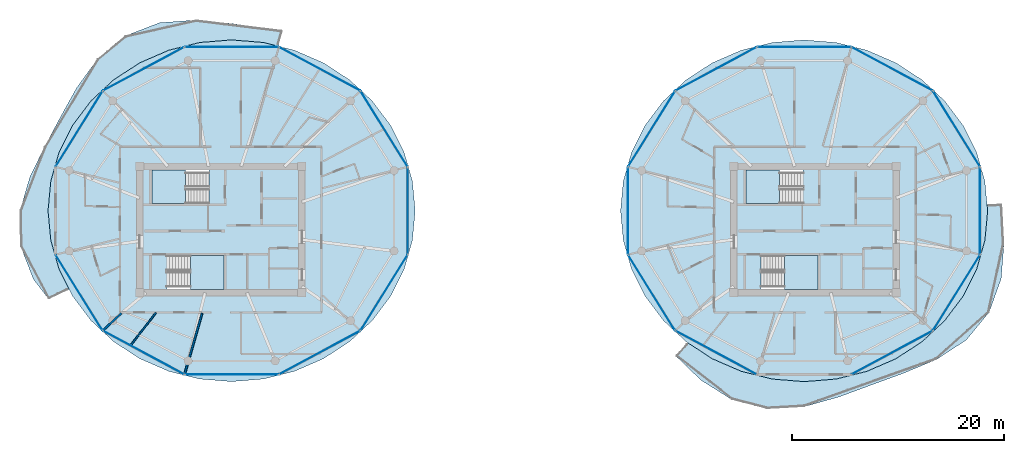
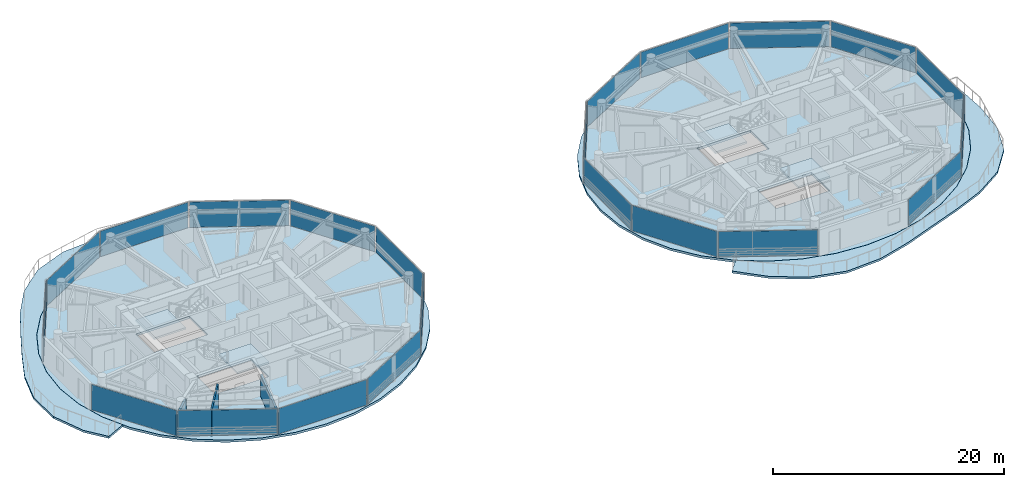
# One storey, part 11 of 22: 22 plates, 8 slabs, 3 walls, 26 elements without a shape of their own.
"""IFC4 building model written with IfcOpenShell, lengths in metres."""

from ifc_helpers import new_model, si_unit, direction, frame, frame_2d, origin, origin_2d, place, context, subcontext, project, spatial, polyline, rectangle, outline, extrude, source, transform, mapped, material, layer, layer_set, type_object, type_shapes, element, aggregate, save


model = new_model("IFC4")

# Units and contexts
model_context = context("Model", 3, precision=1e-05, world=origin(), true_north=direction((0.0, 1.0)))
body_context = subcontext(model_context, "Body", "Model", "MODEL_VIEW")
ifc_project = project(units=[si_unit("LENGTHUNIT", "METRE"), si_unit("AREAUNIT", "SQUARE_METRE"), si_unit("VOLUMEUNIT", "CUBIC_METRE"), si_unit("PLANEANGLEUNIT", "RADIAN"), si_unit("MASSUNIT", "GRAM", prefix="KILO")], contexts=[model_context])

# Site, building, storey
site_placement = place(None, origin())
site = spatial("IfcSite", under=ifc_project, at=site_placement, CompositionType="ELEMENT")
building_placement = place(site_placement, origin())
building = spatial("IfcBuilding", under=site, at=building_placement, Name="Norrkilde Senior Care Towers", CompositionType="ELEMENT")
storey_placement = place(building_placement, frame((0.0, 0.0, 152.60009765625)))
storey = spatial("IfcBuildingStorey", under=building, at=storey_placement, Name="L47", CompositionType="ELEMENT", Elevation=152.60009765625)

# Slabs
ifc_material_1 = material(Name="Concrete C50/60", Category="concrete")
ifc_layer_1 = layer(ifc_material_1, 0.215087890625)
ifc_layer_set_1 = layer_set([ifc_layer_1], Name="Concrete C50/60")
slab_type_1 = type_object("IfcSlabType", Name="Sinusoidal Balcony Ribbon Slab 215", PredefinedType="FLOOR", material=ifc_layer_set_1)
slab_1_placement = place(storey_placement, frame((0.0, 0.0, -0.215087890625)))
element("IfcSlab", 1, at=slab_1_placement, inside=storey, type_object=slab_type_1, Name="L47 Drum W Swirling Senior Balcony 1", PredefinedType="FLOOR", context=body_context, shape_type="SweptSolid", body=[
    extrude(outline(polyline([(-46.861083984375, -1.56005859375), (-46.91845703125, 1.775390625), (-45.994140625, 4.946533203125), (-44.5986328125, 7.81640625), (-43.13671875, 10.55712890625), (-41.590087890625, 13.352783203125), (-39.626953125, 16.0703125), (-36.989501953125, 18.258056640625), (-33.76953125, 19.49560546875), (-30.32763671875, 19.75439453125), (-26.97509765625, 19.42431640625), (-23.7509765625, 18.970458984375), (-22.177978515625, 18.755859375), (-22.591552734375, 17.2919921875), (-23.969970703125, 17.6357421875), (-26.97509765625, 17.88037109375), (-29.97998046875, 17.6357421875), (-32.8935546875, 16.9091796875), (-35.62744140625, 15.72265625), (-38.098388671875, 14.112548828125), (-40.2314453125, 12.12744140625), (-41.961669921875, 9.827880859375), (-43.236328125, 7.28369140625), (-44.01708984375, 4.572021484375), (-44.280029296875, 1.775390625), (-44.01708984375, -1.021240234375), (-43.236328125, -3.73291015625), (-42.2880859375, -5.625244140625), (-44.209228515625, -6.5537109375), (-45.655029296875, -4.678955078125), (-46.861083984375, -1.56005859375)])), origin(), (0.0, 0.0, 1.0), 0.215087890625),
])
slab_2_placement = place(storey_placement, frame((0.0, 0.0, -0.215087890625)))
element("IfcSlab", 2, at=slab_2_placement, inside=storey, type_object=slab_type_1, Name="L47 Drum E Swirling Senior Balcony 1", PredefinedType="FLOOR", context=body_context, shape_type="SweptSolid", body=[
    extrude(outline(polyline([(44.4072265625, -7.79443359375), (42.25927734375, -10.405517578125), (39.419677734375, -12.254150390625), (36.358154296875, -13.5322265625), (33.327392578125, -14.639404296875), (30.256591796875, -15.771728515625), (26.97509765625, -16.689208984375), (23.510498046875, -16.885986328125), (20.15673828125, -16.014404296875), (17.242919921875, -14.181396484375), (14.880859375, -11.895751953125), (15.984375, -10.648193359375), (18.322509765625, -12.171875), (21.056396484375, -13.3583984375), (23.969970703125, -14.0849609375), (26.97509765625, -14.32958984375), (29.97998046875, -14.0849609375), (32.8935546875, -13.3583984375), (35.62744140625, -12.171875), (38.098388671875, -10.561767578125), (40.2314453125, -8.57666015625), (41.961669921875, -6.277099609375), (43.236328125, -3.73291015625), (44.01708984375, -1.021240234375), (44.280029296875, 1.775390625), (44.226318359375, 2.3466796875), (45.620849609375, 2.39306640625), (45.662841796875, 1.775390625), (45.814697265625, -1.36181640625), (45.549560546875, -4.6376953125), (44.4072265625, -7.79443359375)])), origin(), (0.0, 0.0, 1.0), 0.215087890625),
])

# Stair, slab
ifc_material_2 = material(Name="Concrete C45/55", Category="concrete")
stair_type = type_object("IfcStairType", Name="Core Protected Dogleg Stair Typical 3050", PredefinedType="HALF_TURN_STAIR", material=ifc_material_2)
stair_1_placement = place(storey_placement, origin())
stair_1 = element("IfcStair", 3, at=stair_1_placement, inside=storey, type_object=stair_type, Name="L47 Protected Core Stair W1", PredefinedType="HALF_TURN_STAIR")
ifc_layer_2 = layer(ifc_material_2, 0.199951171875)
ifc_layer_set_2 = layer_set([ifc_layer_2], Name="Concrete C45/55")
slab_type_2 = type_object("IfcSlabType", Name="Stair Landing Slab 200", PredefinedType="LANDING", material=ifc_layer_set_2)
slab_3_placement = place(storey_placement, frame((0.0, 0.0, 1.324951171875)))
slab_3 = element("IfcSlab", 4, at=slab_3_placement, type_object=slab_type_2, Name="ST-W1 landing 1", PredefinedType="LANDING", context=body_context, shape_type="SweptSolid", body=[
    extrude(outline(polyline([(-31.340087890625, 5.639892578125), (-34.5, 5.639892578125), (-34.5, 2.449951171875), (-31.340087890625, 2.449951171875), (-31.340087890625, 5.639892578125)])), origin(), (0.0, 0.0, 1.0), 0.199951171875),
])
aggregate(stair_1, [slab_3])

stair_2_placement = place(storey_placement, origin())
stair_2 = element("IfcStair", 5, at=stair_2_placement, inside=storey, type_object=stair_type, Name="L47 Protected Core Stair W2", PredefinedType="HALF_TURN_STAIR")
slab_4_placement = place(storey_placement, frame((0.0, 0.0, 1.324951171875)))
slab_4 = element("IfcSlab", 6, at=slab_4_placement, type_object=slab_type_2, Name="ST-W2 landing 1", PredefinedType="LANDING", context=body_context, shape_type="SweptSolid", body=[
    extrude(outline(polyline([(-30.860107421875, -5.639892578125), (-27.699951171875, -5.639892578125), (-27.699951171875, -2.449951171875), (-30.860107421875, -2.449951171875), (-30.860107421875, -5.639892578125)])), origin(), (0.0, 0.0, 1.0), 0.199951171875),
])
aggregate(stair_2, [slab_4])

stair_3_placement = place(storey_placement, origin())
stair_3 = element("IfcStair", 7, at=stair_3_placement, inside=storey, type_object=stair_type, Name="L47 Protected Core Stair E1", PredefinedType="HALF_TURN_STAIR")
slab_5_placement = place(storey_placement, frame((0.0, 0.0, 1.324951171875)))
slab_5 = element("IfcSlab", 8, at=slab_5_placement, type_object=slab_type_2, Name="ST-E1 landing 1", PredefinedType="LANDING", context=body_context, shape_type="SweptSolid", body=[
    extrude(outline(polyline([(24.659912109375, 5.639892578125), (21.5, 5.639892578125), (21.5, 2.449951171875), (24.659912109375, 2.449951171875), (24.659912109375, 5.639892578125)])), origin(), (0.0, 0.0, 1.0), 0.199951171875),
])
aggregate(stair_3, [slab_5])

stair_4_placement = place(storey_placement, origin())
stair_4 = element("IfcStair", 9, at=stair_4_placement, inside=storey, type_object=stair_type, Name="L47 Protected Core Stair E2", PredefinedType="HALF_TURN_STAIR")
slab_6_placement = place(storey_placement, frame((0.0, 0.0, 1.324951171875)))
slab_6 = element("IfcSlab", 10, at=slab_6_placement, type_object=slab_type_2, Name="ST-E2 landing 1", PredefinedType="LANDING", context=body_context, shape_type="SweptSolid", body=[
    extrude(outline(polyline([(25.139892578125, -5.639892578125), (28.300048828125, -5.639892578125), (28.300048828125, -2.449951171875), (25.139892578125, -2.449951171875), (25.139892578125, -5.639892578125)])), origin(), (0.0, 0.0, 1.0), 0.199951171875),
])
aggregate(stair_4, [slab_6])

# Slabs
ifc_layer_3 = layer(ifc_material_1, 0.239990234375)
ifc_layer_set_3 = layer_set([ifc_layer_3], Name="Concrete C50/60")
slab_type_3 = type_object("IfcSlabType", Name="Tower Residence Floor Slab 240", PredefinedType="FLOOR", material=ifc_layer_set_3)
slab_7_placement = place(storey_placement, frame((0.0, 0.0, -0.239990234375)))
element("IfcSlab", 11, at=slab_7_placement, inside=storey, type_object=slab_type_3, Name="L47 Drum W Structural Floor Slab", PredefinedType="FLOOR", context=body_context, shape_type="SweptSolid", body=[
    extrude(outline(polyline([(-10.71826171875, -3.731201171875), (-11.99267578125, -6.274658203125), (-13.722412109375, -8.573486328125), (-15.854736328125, -10.557861328125), (-18.324951171875, -12.167724609375), (-21.05810546875, -13.353759765625), (-23.970947265625, -14.080078125), (-26.97509765625, -14.32470703125), (-29.97900390625, -14.080078125), (-32.891845703125, -13.353759765625), (-35.625, -12.167724609375), (-38.09521484375, -10.557861328125), (-40.2275390625, -8.573486328125), (-41.957275390625, -6.274658203125), (-43.231689453125, -3.731201171875), (-44.01220703125, -1.020263671875), (-44.27490234375, 1.775390625), (-44.01220703125, 4.571044921875), (-43.231689453125, 7.281982421875), (-41.957275390625, 9.825439453125), (-40.2275390625, 12.124267578125), (-38.09521484375, 14.108642578125), (-35.625, 15.71826171875), (-32.891845703125, 16.904296875), (-29.97900390625, 17.630859375), (-26.97509765625, 17.875244140625), (-23.970947265625, 17.630859375), (-21.05810546875, 16.904296875), (-18.324951171875, 15.71826171875), (-15.854736328125, 14.108642578125), (-13.722412109375, 12.124267578125), (-11.99267578125, 9.825439453125), (-10.71826171875, 7.281982421875), (-9.937744140625, 4.571044921875), (-9.675048828125, 1.775390625), (-9.937744140625, -1.020263671875), (-10.71826171875, -3.731201171875)]), holes=[polyline([(-34.48193359375, 2.468017578125), (-29.117919921875, 2.468017578125), (-29.117919921875, 5.639892578125), (-34.48193359375, 5.639892578125), (-34.48193359375, 2.468017578125)]), polyline([(-27.718017578125, -5.639892578125), (-27.718017578125, -2.468017578125), (-33.08203125, -2.468017578125), (-33.08203125, -5.639892578125), (-27.718017578125, -5.639892578125)])]), origin(), (0.0, 0.0, 1.0), 0.239990234375),
])
slab_8_placement = place(storey_placement, frame((0.0, 0.0, -0.239990234375)))
element("IfcSlab", 12, at=slab_8_placement, inside=storey, type_object=slab_type_3, Name="L47 Drum E Structural Floor Slab", PredefinedType="FLOOR", context=body_context, shape_type="SweptSolid", body=[
    extrude(outline(polyline([(43.231689453125, -3.731201171875), (41.957275390625, -6.274658203125), (40.2275390625, -8.573486328125), (38.09521484375, -10.557861328125), (35.625, -12.167724609375), (32.891845703125, -13.353759765625), (29.97900390625, -14.080078125), (26.97509765625, -14.32470703125), (23.970947265625, -14.080078125), (21.05810546875, -13.353759765625), (18.324951171875, -12.167724609375), (15.854736328125, -10.557861328125), (13.722412109375, -8.573486328125), (11.99267578125, -6.274658203125), (10.71826171875, -3.731201171875), (9.937744140625, -1.020263671875), (9.675048828125, 1.775390625), (9.937744140625, 4.571044921875), (10.71826171875, 7.281982421875), (11.99267578125, 9.825439453125), (13.722412109375, 12.124267578125), (15.854736328125, 14.108642578125), (18.324951171875, 15.71826171875), (21.05810546875, 16.904296875), (23.970947265625, 17.630859375), (26.97509765625, 17.875244140625), (29.97900390625, 17.630859375), (32.891845703125, 16.904296875), (35.625, 15.71826171875), (38.09521484375, 14.108642578125), (40.2275390625, 12.124267578125), (41.957275390625, 9.825439453125), (43.231689453125, 7.281982421875), (44.01220703125, 4.571044921875), (44.27490234375, 1.775390625), (44.01220703125, -1.020263671875), (43.231689453125, -3.731201171875)]), holes=[polyline([(21.51806640625, 2.468017578125), (26.882080078125, 2.468017578125), (26.882080078125, 5.639892578125), (21.51806640625, 5.639892578125), (21.51806640625, 2.468017578125)]), polyline([(28.281982421875, -5.639892578125), (28.281982421875, -2.468017578125), (22.91796875, -2.468017578125), (22.91796875, -5.639892578125), (28.281982421875, -5.639892578125)])]), origin(), (0.0, 0.0, 1.0), 0.239990234375),
])

# Curtain wall, plate
ifc_material_3 = material(Name="Triple Low-E Insulated Glazing", Category="glass")
ifc_layer_4 = layer(ifc_material_3, 0.18994140625)
ifc_layer_set_4 = layer_set([ifc_layer_4], Name="Triple Low-E Insulated Glazing")
curtain_wall_type = type_object("IfcCurtainWallType", Name="CW4 Zone 3 Senior Residence Curtain Wall", PredefinedType="NOTDEFINED", material=ifc_layer_set_4)
curtain_wall_1_placement = place(storey_placement, origin())
curtain_wall_1 = element("IfcCurtainWall", 13, at=curtain_wall_1_placement, inside=storey, type_object=curtain_wall_type, Name="L47 Drum W Curtain Wall 00", PredefinedType="NOTDEFINED")
ifc_layer_5 = layer(ifc_material_3, 0.035888671875)
ifc_layer_set_5 = layer_set([ifc_layer_5], Name="Triple Low-E Insulated Glazing")
plate_type = type_object("IfcPlateType", Name="Triple Low-E Vision Curtain Panel 36", PredefinedType="CURTAIN_PANEL", material=ifc_layer_set_5)
shared_shape_1 = source(origin(), body_context, "Body", "SweptSolid", [
    extrude(rectangle(XDim=8.301513671875, YDim=0.035888671875, at=origin_2d()), origin(), (0.0, 0.0, 1.0), 2.68994140625),
])
plate_1_placement = place(storey_placement, frame((-12.603759765625, 9.4931640625, 0.059814453125), z_axis=(0.0, 0.0, 1.0), x_axis=(0.52737270789, -0.84963405474, 0.0)))
plate_1 = element("IfcPlate", 14, at=plate_1_placement, type_object=plate_type, Name="CW-4 panel 1.1", PredefinedType="CURTAIN_PANEL", context=body_context, shape_type="MappedRepresentation", body=[
    mapped(shared_shape_1, transform((0.0, 0.0, 0.0), x_axis=(1.0, 0.0, 0.0), y_axis=(0.0, 1.0, 0.0), z_axis=(0.0, 0.0, 1.0), scale=1.0)),
])
aggregate(curtain_wall_1, [plate_1])

curtain_wall_2_placement = place(storey_placement, origin())
curtain_wall_2 = element("IfcCurtainWall", 15, at=curtain_wall_2_placement, inside=storey, type_object=curtain_wall_type, Name="L47 Drum W Curtain Wall 04", PredefinedType="NOTDEFINED")
plate_2_placement = place(storey_placement, frame((-41.346435546875, 9.4931640625, 0.059814453125), z_axis=(0.0, 0.0, 1.0), x_axis=(0.52737270789, 0.84963405474, 0.0)))
plate_2 = element("IfcPlate", 16, at=plate_2_placement, type_object=plate_type, Name="CW-4 panel 1.1", PredefinedType="CURTAIN_PANEL", context=body_context, shape_type="MappedRepresentation", body=[
    mapped(shared_shape_1, transform((0.0, 0.0, 0.0), x_axis=(1.0, 0.0, 0.0), y_axis=(0.0, 1.0, 0.0), z_axis=(0.0, 0.0, 1.0), scale=1.0)),
])
aggregate(curtain_wall_2, [plate_2])

curtain_wall_3_placement = place(storey_placement, origin())
curtain_wall_3 = element("IfcCurtainWall", 17, at=curtain_wall_3_placement, inside=storey, type_object=curtain_wall_type, Name="L47 Drum W Curtain Wall 06", PredefinedType="NOTDEFINED")
plate_3_placement = place(storey_placement, frame((-41.346435546875, -5.9423828125, 0.059814453125), z_axis=(0.0, 0.0, 1.0), x_axis=(-0.52737270789, 0.84963405474, 0.0)))
plate_3 = element("IfcPlate", 18, at=plate_3_placement, type_object=plate_type, Name="CW-4 panel 1.1", PredefinedType="CURTAIN_PANEL", context=body_context, shape_type="MappedRepresentation", body=[
    mapped(shared_shape_1, transform((0.0, 0.0, 0.0), x_axis=(1.0, 0.0, 0.0), y_axis=(0.0, 1.0, 0.0), z_axis=(0.0, 0.0, 1.0), scale=1.0)),
])
aggregate(curtain_wall_3, [plate_3])

curtain_wall_4_placement = place(storey_placement, origin())
curtain_wall_4 = element("IfcCurtainWall", 19, at=curtain_wall_4_placement, inside=storey, type_object=curtain_wall_type, Name="L47 Drum W Curtain Wall 10", PredefinedType="NOTDEFINED")
plate_4_placement = place(storey_placement, frame((-12.603759765625, -5.9423828125, 0.059814453125), z_axis=(0.0, 0.0, 1.0), x_axis=(-0.52737270789, -0.84963405474, 0.0)))
plate_4 = element("IfcPlate", 20, at=plate_4_placement, type_object=plate_type, Name="CW-4 panel 1.1", PredefinedType="CURTAIN_PANEL", context=body_context, shape_type="MappedRepresentation", body=[
    mapped(shared_shape_1, transform((0.0, 0.0, 0.0), x_axis=(1.0, 0.0, 0.0), y_axis=(0.0, 1.0, 0.0), z_axis=(0.0, 0.0, 1.0), scale=1.0)),
])
aggregate(curtain_wall_4, [plate_4])

curtain_wall_5_placement = place(storey_placement, origin())
curtain_wall_5 = element("IfcCurtainWall", 21, at=curtain_wall_5_placement, inside=storey, type_object=curtain_wall_type, Name="L47 Drum E Curtain Wall 00", PredefinedType="NOTDEFINED")
plate_5_placement = place(storey_placement, frame((41.346435546875, 9.4931640625, 0.059814453125), z_axis=(0.0, 0.0, 1.0), x_axis=(0.52737270789, -0.84963405474, 0.0)))
plate_5 = element("IfcPlate", 22, at=plate_5_placement, type_object=plate_type, Name="CW-4 panel 1.1", PredefinedType="CURTAIN_PANEL", context=body_context, shape_type="MappedRepresentation", body=[
    mapped(shared_shape_1, transform((0.0, 0.0, 0.0), x_axis=(1.0, 0.0, 0.0), y_axis=(0.0, 1.0, 0.0), z_axis=(0.0, 0.0, 1.0), scale=1.0)),
])
aggregate(curtain_wall_5, [plate_5])

curtain_wall_6_placement = place(storey_placement, origin())
curtain_wall_6 = element("IfcCurtainWall", 23, at=curtain_wall_6_placement, inside=storey, type_object=curtain_wall_type, Name="L47 Drum E Curtain Wall 04", PredefinedType="NOTDEFINED")
plate_6_placement = place(storey_placement, frame((12.603759765625, 9.4931640625, 0.059814453125), z_axis=(0.0, 0.0, 1.0), x_axis=(0.52737270789, 0.84963405474, 0.0)))
plate_6 = element("IfcPlate", 24, at=plate_6_placement, type_object=plate_type, Name="CW-4 panel 1.1", PredefinedType="CURTAIN_PANEL", context=body_context, shape_type="MappedRepresentation", body=[
    mapped(shared_shape_1, transform((0.0, 0.0, 0.0), x_axis=(1.0, 0.0, 0.0), y_axis=(0.0, 1.0, 0.0), z_axis=(0.0, 0.0, 1.0), scale=1.0)),
])
aggregate(curtain_wall_6, [plate_6])

curtain_wall_7_placement = place(storey_placement, origin())
curtain_wall_7 = element("IfcCurtainWall", 25, at=curtain_wall_7_placement, inside=storey, type_object=curtain_wall_type, Name="L47 Drum E Curtain Wall 06", PredefinedType="NOTDEFINED")
plate_7_placement = place(storey_placement, frame((12.603759765625, -5.9423828125, 0.059814453125), z_axis=(0.0, 0.0, 1.0), x_axis=(-0.52737270789, 0.84963405474, 0.0)))
plate_7 = element("IfcPlate", 26, at=plate_7_placement, type_object=plate_type, Name="CW-4 panel 1.1", PredefinedType="CURTAIN_PANEL", context=body_context, shape_type="MappedRepresentation", body=[
    mapped(shared_shape_1, transform((0.0, 0.0, 0.0), x_axis=(1.0, 0.0, 0.0), y_axis=(0.0, 1.0, 0.0), z_axis=(0.0, 0.0, 1.0), scale=1.0)),
])
aggregate(curtain_wall_7, [plate_7])

curtain_wall_8_placement = place(storey_placement, origin())
curtain_wall_8 = element("IfcCurtainWall", 27, at=curtain_wall_8_placement, inside=storey, type_object=curtain_wall_type, Name="L47 Drum E Curtain Wall 10", PredefinedType="NOTDEFINED")
plate_8_placement = place(storey_placement, frame((41.346435546875, -5.9423828125, 0.059814453125), z_axis=(0.0, 0.0, 1.0), x_axis=(-0.52737270789, -0.84963405474, 0.0)))
plate_8 = element("IfcPlate", 28, at=plate_8_placement, type_object=plate_type, Name="CW-4 panel 1.1", PredefinedType="CURTAIN_PANEL", context=body_context, shape_type="MappedRepresentation", body=[
    mapped(shared_shape_1, transform((0.0, 0.0, 0.0), x_axis=(1.0, 0.0, 0.0), y_axis=(0.0, 1.0, 0.0), z_axis=(0.0, 0.0, 1.0), scale=1.0)),
])
aggregate(curtain_wall_8, [plate_8])

curtain_wall_9_placement = place(storey_placement, origin())
curtain_wall_9 = element("IfcCurtainWall", 29, at=curtain_wall_9_placement, inside=storey, type_object=curtain_wall_type, Name="L47 Drum W Curtain Wall 01", PredefinedType="NOTDEFINED")
shared_shape_2 = source(origin(), body_context, "Body", "SweptSolid", [
    extrude(rectangle(XDim=8.61181640625, YDim=0.035888671875, at=origin_2d()), origin(), (0.0, 0.0, 1.0), 2.68994140625),
])
plate_9_placement = place(storey_placement, frame((-18.677734375, 15.142822265625, 0.059814453125), z_axis=(0.0, 0.0, 1.0), x_axis=(0.880999524059, -0.47311715104, 0.0)))
plate_9 = element("IfcPlate", 30, at=plate_9_placement, type_object=plate_type, Name="CW-4 panel 1.1", PredefinedType="CURTAIN_PANEL", context=body_context, shape_type="MappedRepresentation", body=[
    mapped(shared_shape_2, transform((0.0, 0.0, 0.0), x_axis=(1.0, 0.0, 0.0), y_axis=(0.0, 1.0, 0.0), z_axis=(0.0, 0.0, 1.0), scale=1.0)),
])
aggregate(curtain_wall_9, [plate_9])

curtain_wall_10_placement = place(storey_placement, origin())
curtain_wall_10 = element("IfcCurtainWall", 31, at=curtain_wall_10_placement, inside=storey, type_object=curtain_wall_type, Name="L47 Drum W Curtain Wall 03", PredefinedType="NOTDEFINED")
plate_10_placement = place(storey_placement, frame((-35.272216796875, 15.142822265625, 0.059814453125), z_axis=(0.0, 0.0, 1.0), x_axis=(0.880999524059, 0.47311715104, 0.0)))
plate_10 = element("IfcPlate", 32, at=plate_10_placement, type_object=plate_type, Name="CW-4 panel 1.1", PredefinedType="CURTAIN_PANEL", context=body_context, shape_type="MappedRepresentation", body=[
    mapped(shared_shape_2, transform((0.0, 0.0, 0.0), x_axis=(1.0, 0.0, 0.0), y_axis=(0.0, 1.0, 0.0), z_axis=(0.0, 0.0, 1.0), scale=1.0)),
])
aggregate(curtain_wall_10, [plate_10])

curtain_wall_11_placement = place(storey_placement, origin())
curtain_wall_11 = element("IfcCurtainWall", 33, at=curtain_wall_11_placement, inside=storey, type_object=curtain_wall_type, Name="L47 Drum W Curtain Wall 07", PredefinedType="NOTDEFINED")
plate_11_placement = place(storey_placement, frame((-35.272216796875, -11.59228515625, 0.059814453125), z_axis=(0.0, 0.0, 1.0), x_axis=(-0.880999524059, 0.47311715104, 0.0)))
plate_11 = element("IfcPlate", 34, at=plate_11_placement, type_object=plate_type, Name="CW-4 panel 1.1", PredefinedType="CURTAIN_PANEL", context=body_context, shape_type="MappedRepresentation", body=[
    mapped(shared_shape_2, transform((0.0, 0.0, 0.0), x_axis=(1.0, 0.0, 0.0), y_axis=(0.0, 1.0, 0.0), z_axis=(0.0, 0.0, 1.0), scale=1.0)),
])
aggregate(curtain_wall_11, [plate_11])

curtain_wall_12_placement = place(storey_placement, origin())
curtain_wall_12 = element("IfcCurtainWall", 35, at=curtain_wall_12_placement, inside=storey, type_object=curtain_wall_type, Name="L47 Drum W Curtain Wall 09", PredefinedType="NOTDEFINED")
plate_12_placement = place(storey_placement, frame((-18.677734375, -11.59228515625, 0.059814453125), z_axis=(0.0, 0.0, 1.0), x_axis=(-0.880999524059, -0.47311715104, 0.0)))
plate_12 = element("IfcPlate", 36, at=plate_12_placement, type_object=plate_type, Name="CW-4 panel 1.1", PredefinedType="CURTAIN_PANEL", context=body_context, shape_type="MappedRepresentation", body=[
    mapped(shared_shape_2, transform((0.0, 0.0, 0.0), x_axis=(1.0, 0.0, 0.0), y_axis=(0.0, 1.0, 0.0), z_axis=(0.0, 0.0, 1.0), scale=1.0)),
])
aggregate(curtain_wall_12, [plate_12])

curtain_wall_13_placement = place(storey_placement, origin())
curtain_wall_13 = element("IfcCurtainWall", 37, at=curtain_wall_13_placement, inside=storey, type_object=curtain_wall_type, Name="L47 Drum E Curtain Wall 01", PredefinedType="NOTDEFINED")
plate_13_placement = place(storey_placement, frame((35.272216796875, 15.142822265625, 0.059814453125), z_axis=(0.0, 0.0, 1.0), x_axis=(0.880999524059, -0.47311715104, 0.0)))
plate_13 = element("IfcPlate", 38, at=plate_13_placement, type_object=plate_type, Name="CW-4 panel 1.1", PredefinedType="CURTAIN_PANEL", context=body_context, shape_type="MappedRepresentation", body=[
    mapped(shared_shape_2, transform((0.0, 0.0, 0.0), x_axis=(1.0, 0.0, 0.0), y_axis=(0.0, 1.0, 0.0), z_axis=(0.0, 0.0, 1.0), scale=1.0)),
])
aggregate(curtain_wall_13, [plate_13])

curtain_wall_14_placement = place(storey_placement, origin())
curtain_wall_14 = element("IfcCurtainWall", 39, at=curtain_wall_14_placement, inside=storey, type_object=curtain_wall_type, Name="L47 Drum E Curtain Wall 03", PredefinedType="NOTDEFINED")
plate_14_placement = place(storey_placement, frame((18.677734375, 15.142822265625, 0.059814453125), z_axis=(0.0, 0.0, 1.0), x_axis=(0.880999524059, 0.47311715104, 0.0)))
plate_14 = element("IfcPlate", 40, at=plate_14_placement, type_object=plate_type, Name="CW-4 panel 1.1", PredefinedType="CURTAIN_PANEL", context=body_context, shape_type="MappedRepresentation", body=[
    mapped(shared_shape_2, transform((0.0, 0.0, 0.0), x_axis=(1.0, 0.0, 0.0), y_axis=(0.0, 1.0, 0.0), z_axis=(0.0, 0.0, 1.0), scale=1.0)),
])
aggregate(curtain_wall_14, [plate_14])

curtain_wall_15_placement = place(storey_placement, origin())
curtain_wall_15 = element("IfcCurtainWall", 41, at=curtain_wall_15_placement, inside=storey, type_object=curtain_wall_type, Name="L47 Drum E Curtain Wall 07", PredefinedType="NOTDEFINED")
plate_15_placement = place(storey_placement, frame((18.677734375, -11.59228515625, 0.059814453125), z_axis=(0.0, 0.0, 1.0), x_axis=(-0.880999524059, 0.47311715104, 0.0)))
plate_15 = element("IfcPlate", 42, at=plate_15_placement, type_object=plate_type, Name="CW-4 panel 1.1", PredefinedType="CURTAIN_PANEL", context=body_context, shape_type="MappedRepresentation", body=[
    mapped(shared_shape_2, transform((0.0, 0.0, 0.0), x_axis=(1.0, 0.0, 0.0), y_axis=(0.0, 1.0, 0.0), z_axis=(0.0, 0.0, 1.0), scale=1.0)),
])
aggregate(curtain_wall_15, [plate_15])

curtain_wall_16_placement = place(storey_placement, origin())
curtain_wall_16 = element("IfcCurtainWall", 43, at=curtain_wall_16_placement, inside=storey, type_object=curtain_wall_type, Name="L47 Drum E Curtain Wall 09", PredefinedType="NOTDEFINED")
plate_16_placement = place(storey_placement, frame((35.272216796875, -11.59228515625, 0.059814453125), z_axis=(0.0, 0.0, 1.0), x_axis=(-0.880999524059, -0.47311715104, 0.0)))
plate_16 = element("IfcPlate", 44, at=plate_16_placement, type_object=plate_type, Name="CW-4 panel 1.1", PredefinedType="CURTAIN_PANEL", context=body_context, shape_type="MappedRepresentation", body=[
    mapped(shared_shape_2, transform((0.0, 0.0, 0.0), x_axis=(1.0, 0.0, 0.0), y_axis=(0.0, 1.0, 0.0), z_axis=(0.0, 0.0, 1.0), scale=1.0)),
])
aggregate(curtain_wall_16, [plate_16])

curtain_wall_17_placement = place(storey_placement, origin())
curtain_wall_17 = element("IfcCurtainWall", 45, at=curtain_wall_17_placement, inside=storey, type_object=curtain_wall_type, Name="L47 Drum W Curtain Wall 02", PredefinedType="NOTDEFINED")
shared_shape_3 = source(origin(), body_context, "Body", "SweptSolid", [
    extrude(rectangle(XDim=8.762939453125, YDim=0.035888671875, at=origin_2d()), origin(), (0.0, 0.0, 1.0), 2.68994140625),
])
plate_17_placement = place(storey_placement, frame((-26.97509765625, 17.2109375, 0.059814453125), z_axis=(0.0, 0.0, 1.0), x_axis=(1.0, 0.0, 0.0)))
plate_17 = element("IfcPlate", 46, at=plate_17_placement, type_object=plate_type, Name="CW-4 panel 1.1", PredefinedType="CURTAIN_PANEL", context=body_context, shape_type="MappedRepresentation", body=[
    mapped(shared_shape_3, transform((0.0, 0.0, 0.0), x_axis=(1.0, 0.0, 0.0), y_axis=(0.0, 1.0, 0.0), z_axis=(0.0, 0.0, 1.0), scale=1.0)),
])
aggregate(curtain_wall_17, [plate_17])

curtain_wall_18_placement = place(storey_placement, origin())
curtain_wall_18 = element("IfcCurtainWall", 47, at=curtain_wall_18_placement, inside=storey, type_object=curtain_wall_type, Name="L47 Drum W Curtain Wall 08", PredefinedType="NOTDEFINED")
plate_18_placement = place(storey_placement, frame((-26.97509765625, -13.66015625, 0.059814453125), z_axis=(0.0, 0.0, 1.0), x_axis=(-1.0, 0.0, 0.0)))
plate_18 = element("IfcPlate", 48, at=plate_18_placement, type_object=plate_type, Name="CW-4 panel 1.1", PredefinedType="CURTAIN_PANEL", context=body_context, shape_type="MappedRepresentation", body=[
    mapped(shared_shape_3, transform((0.0, 0.0, 0.0), x_axis=(1.0, 0.0, 0.0), y_axis=(0.0, 1.0, 0.0), z_axis=(0.0, 0.0, 1.0), scale=1.0)),
])
aggregate(curtain_wall_18, [plate_18])

curtain_wall_19_placement = place(storey_placement, origin())
curtain_wall_19 = element("IfcCurtainWall", 49, at=curtain_wall_19_placement, inside=storey, type_object=curtain_wall_type, Name="L47 Drum E Curtain Wall 02", PredefinedType="NOTDEFINED")
plate_19_placement = place(storey_placement, frame((26.97509765625, 17.2109375, 0.059814453125), z_axis=(0.0, 0.0, 1.0), x_axis=(1.0, 0.0, 0.0)))
plate_19 = element("IfcPlate", 50, at=plate_19_placement, type_object=plate_type, Name="CW-4 panel 1.1", PredefinedType="CURTAIN_PANEL", context=body_context, shape_type="MappedRepresentation", body=[
    mapped(shared_shape_3, transform((0.0, 0.0, 0.0), x_axis=(1.0, 0.0, 0.0), y_axis=(0.0, 1.0, 0.0), z_axis=(0.0, 0.0, 1.0), scale=1.0)),
])
aggregate(curtain_wall_19, [plate_19])

curtain_wall_20_placement = place(storey_placement, origin())
curtain_wall_20 = element("IfcCurtainWall", 51, at=curtain_wall_20_placement, inside=storey, type_object=curtain_wall_type, Name="L47 Drum W Curtain Wall 11", PredefinedType="NOTDEFINED")
shared_shape_4 = source(origin(), body_context, "Body", "SweptSolid", [
    extrude(rectangle(XDim=8.141845703125, YDim=0.035888671875, at=origin_2d()), origin(), (0.0, 0.0, 1.0), 2.68994140625),
])
type_shapes(plate_type, [shared_shape_1, shared_shape_2, shared_shape_3, shared_shape_4])
plate_20_placement = place(storey_placement, frame((-10.38037109375, 1.775390625, 0.059814453125), z_axis=(0.0, 0.0, 1.0), x_axis=(0.0, -1.0, 0.0)))
plate_20 = element("IfcPlate", 52, at=plate_20_placement, type_object=plate_type, Name="CW-4 panel 1.1", PredefinedType="CURTAIN_PANEL", context=body_context, shape_type="MappedRepresentation", body=[
    mapped(shared_shape_4, transform((0.0, 0.0, 0.0), x_axis=(1.0, 0.0, 0.0), y_axis=(0.0, 1.0, 0.0), z_axis=(0.0, 0.0, 1.0), scale=1.0)),
])
aggregate(curtain_wall_20, [plate_20])

curtain_wall_21_placement = place(storey_placement, origin())
curtain_wall_21 = element("IfcCurtainWall", 53, at=curtain_wall_21_placement, inside=storey, type_object=curtain_wall_type, Name="L47 Drum E Curtain Wall 05", PredefinedType="NOTDEFINED")
plate_21_placement = place(storey_placement, frame((10.38037109375, 1.775390625, 0.059814453125), z_axis=(0.0, 0.0, 1.0), x_axis=(0.0, 1.0, 0.0)))
plate_21 = element("IfcPlate", 54, at=plate_21_placement, type_object=plate_type, Name="CW-4 panel 1.1", PredefinedType="CURTAIN_PANEL", context=body_context, shape_type="MappedRepresentation", body=[
    mapped(shared_shape_4, transform((0.0, 0.0, 0.0), x_axis=(1.0, 0.0, 0.0), y_axis=(0.0, 1.0, 0.0), z_axis=(0.0, 0.0, 1.0), scale=1.0)),
])
aggregate(curtain_wall_21, [plate_21])

curtain_wall_22_placement = place(storey_placement, origin())
curtain_wall_22 = element("IfcCurtainWall", 55, at=curtain_wall_22_placement, inside=storey, type_object=curtain_wall_type, Name="L47 Drum E Curtain Wall 11", PredefinedType="NOTDEFINED")
plate_22_placement = place(storey_placement, frame((43.569580078125, 1.775390625, 0.059814453125), z_axis=(0.0, 0.0, 1.0), x_axis=(0.0, -1.0, 0.0)))
plate_22 = element("IfcPlate", 56, at=plate_22_placement, type_object=plate_type, Name="CW-4 panel 1.1", PredefinedType="CURTAIN_PANEL", context=body_context, shape_type="MappedRepresentation", body=[
    mapped(shared_shape_4, transform((0.0, 0.0, 0.0), x_axis=(1.0, 0.0, 0.0), y_axis=(0.0, 1.0, 0.0), z_axis=(0.0, 0.0, 1.0), scale=1.0)),
])
aggregate(curtain_wall_22, [plate_22])

# Walls
ifc_material_4 = material(Name="Gypsum Acoustic Board")
ifc_layer_6 = layer(ifc_material_4, 0.1650390625)
ifc_layer_set_6 = layer_set([ifc_layer_6], Name="Gypsum Acoustic Board")
wall_type_1 = type_object("IfcWallType", Name="Corridor Rated Partition 165", PredefinedType="PARTITIONING", material=ifc_layer_set_6)
shared_shape_5 = source(origin(), body_context, "Body", "SweptSolid", [
    extrude(rectangle(XDim=6.035400390625, YDim=0.1650390625, at=frame_2d((3.017578125, 0.0))), origin(), (0.0, 0.0, 1.0), 2.344970703125),
])
type_shapes(wall_type_1, [shared_shape_5])
wall_1_placement = place(storey_placement, frame((-29.756103515625, -7.8798828125, 0.0), z_axis=(0.0, 0.0, 1.0), x_axis=(-0.276809454862, -0.960924828329, 0.0)))
element("IfcWall", 57, at=wall_1_placement, inside=storey, type_object=wall_type_1, Name="WL-INT-L47-W-DEM-08-0", PredefinedType="PARTITIONING", context=body_context, shape_type="MappedRepresentation", body=[
    mapped(shared_shape_5, transform((0.0, 0.0, 0.0), x_axis=(1.0, 0.0, 0.0), y_axis=(0.0, 1.0, 0.0), z_axis=(0.0, 0.0, 1.0), scale=1.0)),
])
ifc_layer_7 = layer(ifc_material_4, 0.18994140625)
ifc_layer_set_7 = layer_set([ifc_layer_7], Name="Gypsum Acoustic Board")
wall_type_2 = type_object("IfcWallType", Name="Unit Demising Acoustic Wall 190", PredefinedType="PARTITIONING", material=ifc_layer_set_7)
shared_shape_6 = source(origin(), body_context, "Body", "SweptSolid", [
    extrude(rectangle(XDim=2.434814453125, YDim=0.18994140625, at=frame_2d((1.21728515625, 0.0))), origin(), (0.0, 0.0, 1.0), 2.344970703125),
])
type_shapes(wall_type_2, [shared_shape_6])
wall_2_placement = place(storey_placement, frame((-37.3544921875, -7.8798828125, 0.0), z_axis=(0.0, 0.0, 1.0), x_axis=(-0.732164643118, -0.681127693878, 0.0)))
element("IfcWall", 58, at=wall_2_placement, inside=storey, type_object=wall_type_2, Name="WL-INT-L47-W-DEM-07-0", PredefinedType="PARTITIONING", context=body_context, shape_type="MappedRepresentation", body=[
    mapped(shared_shape_6, transform((0.0, 0.0, 0.0), x_axis=(1.0, 0.0, 0.0), y_axis=(0.0, 1.0, 0.0), z_axis=(0.0, 0.0, 1.0), scale=1.0)),
])
ifc_layer_8 = layer(ifc_material_4, 0.139892578125)
ifc_layer_set_8 = layer_set([ifc_layer_8], Name="Gypsum Acoustic Board")
wall_type_3 = type_object("IfcWallType", Name="En-suite Wet Room Wall 140", PredefinedType="PARTITIONING", material=ifc_layer_set_8)
shared_shape_7 = source(origin(), body_context, "Body", "SweptSolid", [
    extrude(rectangle(XDim=3.9365234375, YDim=0.139892578125, at=frame_2d((1.96826171875, 0.0))), origin(), (0.0, 0.0, 1.0), 2.794921875),
])
type_shapes(wall_type_3, [shared_shape_7])
wall_3_placement = place(storey_placement, frame((-34.1103515625, -7.830078125, 0.0), z_axis=(0.0, 0.0, 1.0), x_axis=(-0.611016723561, -0.791617687731, 0.0)))
element("IfcWall", 59, at=wall_3_placement, inside=storey, type_object=wall_type_3, Name="WL-INT-L47-W-MID-07", PredefinedType="PARTITIONING", context=body_context, shape_type="MappedRepresentation", body=[
    mapped(shared_shape_7, transform((0.0, 0.0, 0.0), x_axis=(1.0, 0.0, 0.0), y_axis=(0.0, 1.0, 0.0), z_axis=(0.0, 0.0, 1.0), scale=1.0)),
])

save(model, "model.ifc")
